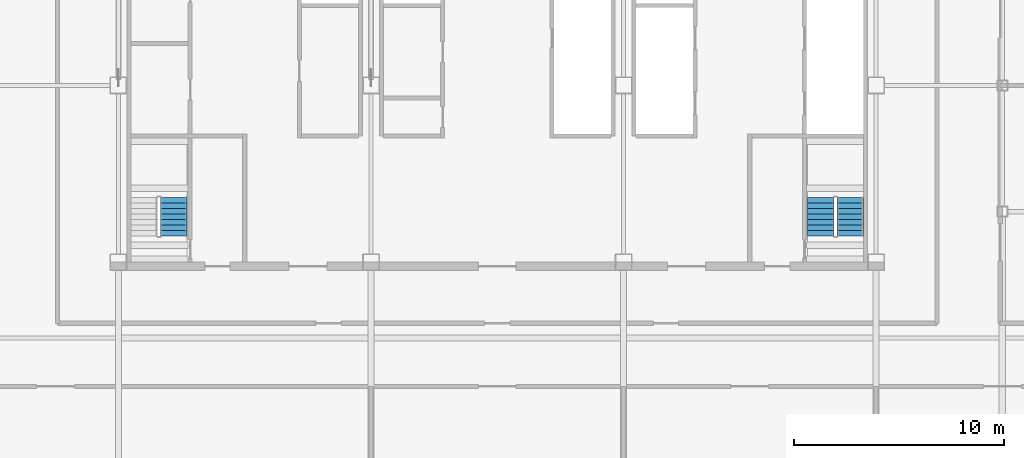
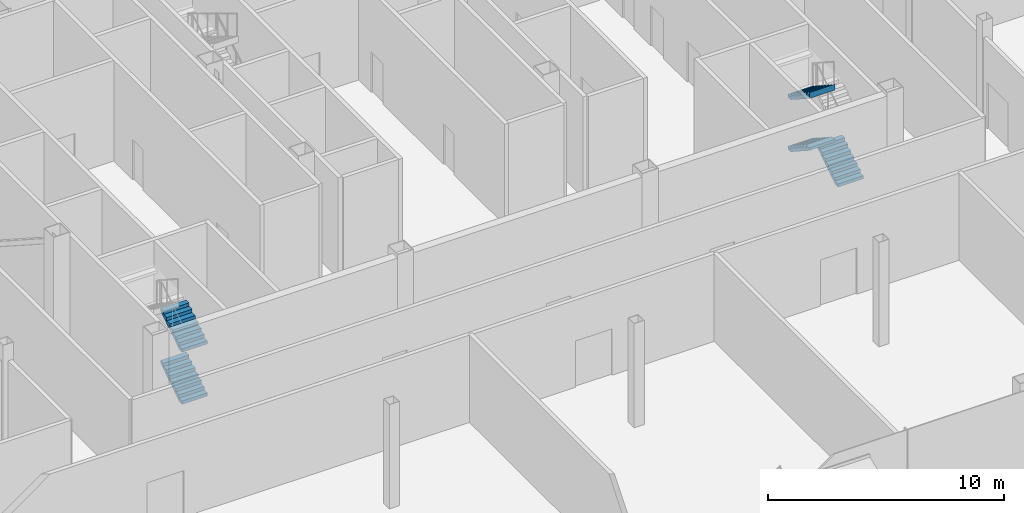
# One storey, part 22 of 26: 5 stair flights, 2 elements without a shape of their own.
"""IFC4 building model written with IfcOpenShell, lengths in metres."""

import ifcopenshell
import ifcopenshell.guid

model = None  # the IFC model being written
_history = None  # IfcOwnerHistory: only IFC2X3 demands one
_inside = {}  # id of a spatial element -> (the spatial element, [elements in it])
_under = {}  # id of a project, library or spatial element -> (it, [spatial elements below it])
_declared = {}  # id of a project -> (the project, [libraries it declares])
_typed = {}  # id of a type object -> (the type object, [elements of that type])
_made_of = {}  # id of a material, layer set ... -> (it, [elements and type objects made of it])


def new_model(schema):
    """Start an empty IFC model of exactly this schema.

    Asked for "IFC4X3", IfcOpenShell would pick the latest addendum, in which some entities
    have other attributes; the version numbers below select the first issue.
    IFC2X3 requires an IfcOwnerHistory on every rooted entity: one is made here for all.
    """
    global model, _history
    if schema == "IFC4X3":
        model = ifcopenshell.file(schema_version=(4, 3, 0, 0))
    else:
        model = ifcopenshell.file(schema=schema)
    _inside.clear()
    _under.clear()
    _declared.clear()
    _typed.clear()
    _made_of.clear()
    _history = None
    if model.schema == "IFC2X3":
        org = make("IfcOrganization", Name="unknown")
        user = make(
            "IfcPersonAndOrganization",
            ThePerson=make("IfcPerson", FamilyName="unknown"),
            TheOrganization=org,
        )
        app = make(
            "IfcApplication",
            ApplicationDeveloper=org,
            Version="unknown",
            ApplicationFullName="unknown",
            ApplicationIdentifier="unknown",
        )
        _history = make(
            "IfcOwnerHistory",
            OwningUser=user,
            OwningApplication=app,
            ChangeAction="ADDED",
            CreationDate=0,
        )
    return model


def make(cls, **values):
    """One entity of the class cls with the attributes given. An attribute that is None is left unset."""
    return model.create_entity(
        cls, **{name: value for name, value in values.items() if value is not None}
    )


def rooted(cls, **values):
    """An entity with a GlobalId (a new one), such as an element, a storey or a relation."""
    return make(cls, GlobalId=ifcopenshell.guid.new(), OwnerHistory=_history, **values)


def si_unit(unit_type, name, prefix=None):
    """IfcSIUnit, for example si_unit("LENGTHUNIT", "METRE", prefix="MILLI")."""
    return make("IfcSIUnit", UnitType=unit_type, Prefix=prefix, Name=name)


def assignment(units):
    """IfcUnitAssignment: the units of a project."""
    return None if units is None else make("IfcUnitAssignment", Units=units)


def point(xyz):
    """IfcCartesianPoint."""
    return None if xyz is None else make("IfcCartesianPoint", Coordinates=xyz)


def direction(xyz):
    """IfcDirection."""
    return None if xyz is None else make("IfcDirection", DirectionRatios=xyz)


def frame(location, z_axis=None, x_axis=None):
    """IfcAxis2Placement3D, a coordinate frame: its origin and axes. An axis left out is left unset."""
    return make(
        "IfcAxis2Placement3D",
        Location=point(location),
        Axis=direction(z_axis),
        RefDirection=direction(x_axis),
    )


def origin():
    """The frame at (0, 0, 0) with its axes left unset."""
    return frame((0.0, 0.0, 0.0))


def place(relative_to, where):
    """IfcLocalPlacement: puts the frame where relative to a parent placement (None: the world)."""
    return make(
        "IfcLocalPlacement", PlacementRelTo=relative_to, RelativePlacement=where
    )


def context(
    kind, dimensions, precision=None, world=None, true_north=None, identifier=None
):
    """IfcGeometricRepresentationContext, for example the 3D "Model" context."""
    return make(
        "IfcGeometricRepresentationContext",
        ContextIdentifier=identifier,
        ContextType=kind,
        CoordinateSpaceDimension=dimensions,
        Precision=precision,
        WorldCoordinateSystem=world,
        TrueNorth=true_north,
    )


def subcontext(parent, identifier, kind, view, scale=None):
    """IfcGeometricRepresentationSubContext, for example "Body" below "Model"."""
    return make(
        "IfcGeometricRepresentationSubContext",
        ContextIdentifier=identifier,
        ContextType=kind,
        ParentContext=parent,
        TargetScale=scale,
        TargetView=view,
    )


def project(units=None, contexts=None):
    """IfcProject with its units and contexts."""
    return rooted(
        "IfcProject",
        Name="project",
        RepresentationContexts=contexts,
        UnitsInContext=assignment(units),
    )


def spatial(cls, under=None, at=None, **own):
    """A site, building, storey or space (cls), placed at a placement, below another one or the project."""
    s = rooted(cls, ObjectPlacement=at, **own)
    if under is not None:
        _under.setdefault(under.id(), (under, []))[1].append(s)
    return s


def polyline(points):
    """IfcPolyline through the points."""
    return make("IfcPolyline", Points=[point(p) for p in points])


def outline(outer, holes=None, kind="AREA"):
    """IfcArbitraryClosedProfileDef: a profile drawn as a closed curve; with holes, ...WithVoids."""
    if holes is None:
        return make("IfcArbitraryClosedProfileDef", ProfileType=kind, OuterCurve=outer)
    return make(
        "IfcArbitraryProfileDefWithVoids",
        ProfileType=kind,
        OuterCurve=outer,
        InnerCurves=holes,
    )


def extrude(swept, where, along, depth):
    """IfcExtrudedAreaSolid: the profile swept, set in the frame where, extruded along a direction by depth."""
    return make(
        "IfcExtrudedAreaSolid",
        SweptArea=swept,
        Position=where,
        ExtrudedDirection=direction(along),
        Depth=depth,
    )


def shape(context_of_items, identifier, shape_type, items):
    """IfcShapeRepresentation: the items that make up one representation, for example the "Body"."""
    return make(
        "IfcShapeRepresentation",
        ContextOfItems=context_of_items,
        RepresentationIdentifier=identifier,
        RepresentationType=shape_type,
        Items=items,
    )


def material(Name=None, Category=None):
    """IfcMaterial."""
    return make("IfcMaterial", Name=Name, Category=Category)


def made_of(thing, what):
    """Note that an element or type object is made of a material, layer set ...; save() writes the relation."""
    if what is not None:
        _made_of.setdefault(what.id(), (what, []))[1].append(thing)
    return thing


def type_object(cls, material=None, **own):
    """A type object (cls), such as IfcWallType, which elements share."""
    return made_of(rooted(cls, **own), material)


def element(
    cls,
    number,
    at=None,
    inside=None,
    cuts=None,
    type_object=None,
    material=None,
    context=None,
    identifier="Body",
    shape_type=None,
    held_by="IfcProductDefinitionShape",
    body=None,
    shapes=None,
    **own,
):
    """One element of the class cls, such as IfcWall. Its Tag is "e" and its number.

    at: its placement. inside: the storey or other place that contains it. cuts: it is an
    opening in that element (IfcRelVoidsElement). A single representation is given by context,
    identifier, shape_type and body (its items); several are given by shapes. held_by: the class
    of the entity that holds the representations. save() writes the other relations.
    """
    e = rooted(cls, Tag="e%d" % number, ObjectPlacement=at, **own)
    if body is not None:
        shapes = [shape(context, identifier, shape_type, body)]
    if shapes is not None:
        e.Representation = make(held_by, Representations=shapes)
    if inside is not None:
        _inside.setdefault(inside.id(), (inside, []))[1].append(e)
    if cuts is not None:
        rooted(
            "IfcRelVoidsElement", RelatingBuildingElement=cuts, RelatedOpeningElement=e
        )
    if type_object is not None:
        _typed.setdefault(type_object.id(), (type_object, []))[1].append(e)
    return made_of(e, material)


def aggregate(whole, parts):
    """IfcRelAggregates: a whole, such as a stair, and the parts it consists of."""
    return rooted("IfcRelAggregates", RelatingObject=whole, RelatedObjects=parts)


def save(model, path):
    """Write the relations noted so far, then the file.

    IfcRelAggregates (storeys below a building ...), IfcRelContainedInSpatialStructure (elements
    in a storey), IfcRelDefinesByType, IfcRelAssociatesMaterial and IfcRelDeclares: one each for
    every whole, place, type object, material and project.
    """
    for whole, parts in _under.values():
        aggregate(whole, parts)
    for where, things in _inside.values():
        rooted(
            "IfcRelContainedInSpatialStructure",
            RelatedElements=things,
            RelatingStructure=where,
        )
    for kind, things in _typed.values():
        rooted("IfcRelDefinesByType", RelatedObjects=things, RelatingType=kind)
    for what, things in _made_of.values():
        rooted("IfcRelAssociatesMaterial", RelatedObjects=things, RelatingMaterial=what)
    for by, libraries in _declared.values():
        rooted("IfcRelDeclares", RelatingContext=by, RelatedDefinitions=libraries)
    model.write(path)


model = new_model("IFC4")

# Units and contexts
model_context = context("Model", 3, precision=1e-05, world=origin(), true_north=direction((0.0, 1.0)))
body_context = subcontext(model_context, "Body", "Model", "MODEL_VIEW")
ifc_project = project(units=[si_unit("LENGTHUNIT", "METRE"), si_unit("AREAUNIT", "SQUARE_METRE"), si_unit("VOLUMEUNIT", "CUBIC_METRE"), si_unit("PLANEANGLEUNIT", "RADIAN"), si_unit("MASSUNIT", "GRAM", prefix="KILO")], contexts=[model_context])

# Site, building, storey
site_placement = place(None, origin())
site = spatial("IfcSite", under=ifc_project, at=site_placement, CompositionType="ELEMENT")
building_placement = place(site_placement, origin())
building = spatial("IfcBuilding", under=site, at=building_placement, Name="Sorahane Residences", CompositionType="ELEMENT")
storey_placement = place(building_placement, frame((0.0, 0.0, 257.60009765625)))
storey = spatial("IfcBuildingStorey", under=building, at=storey_placement, Name="L61", CompositionType="ELEMENT", Elevation=257.60009765625)

# Stair, stair flights
ifc_material_1 = material(Name="Concrete C40", Category="concrete")
stair_type = type_object("IfcStairType", Name="Dog-leg stair 1250 Concrete C40", PredefinedType="HALF_TURN_STAIR", material=ifc_material_1)
stair_1_placement = place(storey_placement, origin())
stair_1 = element("IfcStair", 1, at=stair_1_placement, inside=storey, type_object=stair_type, Name="L61 Stair S4", PredefinedType="HALF_TURN_STAIR")
ifc_material_2 = material(Name="Concrete C40", Category="concrete")
stair_flight_type = type_object("IfcStairFlightType", Name="Stair flight 1250 Concrete C40", PredefinedType="STRAIGHT", material=ifc_material_2)
stair_flight_1_placement = place(storey_placement, frame((8.625, 22.85009765625, 0.0), z_axis=(0.0, 0.0, 1.0), x_axis=(0.0, 1.0, 0.0)))
stair_flight_1 = element("IfcStairFlight", 2, at=stair_flight_1_placement, type_object=stair_flight_type, Name="S4 flight 1", NumberOfRisers=8, NumberOfTreads=7, PredefinedType="STRAIGHT", RiserHeight=0.16875, TreadLength=0.26, context=body_context, shape_type="SweptSolid", body=[
    extrude(outline(polyline([(-0.00146484375, 0.0), (-0.00146484375, 0.002197265625), (-0.00146484375, 0.004150390625), (-0.00146484375, 0.00634765625), (-0.00146484375, 0.00830078125), (-0.00146484375, 0.010498046875), (-0.00146484375, 0.012451171875), (-0.00146484375, 0.0146484375), (-0.00146484375, 0.0166015625), (-0.00146484375, 0.018798828125), (-0.00146484375, 0.020751953125), (-0.00146484375, 0.02294921875), (-0.00146484375, 0.02490234375), (-0.00146484375, 0.027099609375), (-0.00146484375, 0.029052734375), (-0.00146484375, 0.03125), (-0.00146484375, 0.033447265625), (-0.00146484375, 0.035400390625), (-0.00146484375, 0.03759765625), (-0.00146484375, 0.03955078125), (-0.00146484375, 0.041748046875), (-0.00146484375, 0.043701171875), (-0.00146484375, 0.0458984375), (-0.00146484375, 0.0478515625), (-0.00146484375, 0.050048828125), (-0.00146484375, 0.052001953125), (-0.00146484375, 0.05419921875), (-0.00146484375, 0.05615234375), (-0.00146484375, 0.058349609375), (-0.00146484375, 0.060302734375), (-0.00146484375, 0.0625), (-0.00146484375, 0.064697265625), (-0.00146484375, 0.066650390625), (-0.00146484375, 0.06884765625), (-0.00146484375, 0.07080078125), (-0.00146484375, 0.072998046875), (-0.00146484375, 0.074951171875), (-0.00146484375, 0.0771484375), (-0.00146484375, 0.0791015625), (-0.00146484375, 0.081298828125), (-0.00146484375, 0.083251953125), (-0.00146484375, 0.08544921875), (-0.00146484375, 0.08740234375), (-0.00146484375, 0.089599609375), (-0.00146484375, 0.091552734375), (-0.00146484375, 0.09375), (-0.00146484375, 0.095947265625), (-0.00146484375, 0.097900390625), (-0.00146484375, 0.10009765625), (-0.00146484375, 0.10205078125), (-0.00146484375, 0.104248046875), (-0.00146484375, 0.106201171875), (-0.00146484375, 0.1083984375), (-0.00146484375, 0.1103515625), (-0.00146484375, 0.112548828125), (-0.00146484375, 0.114501953125), (-0.00146484375, 0.11669921875), (-0.00146484375, 0.11865234375), (-0.00146484375, 0.120849609375), (-0.00146484375, 0.122802734375), (-0.00146484375, 0.125), (-0.00146484375, 0.127197265625), (-0.00146484375, 0.129150390625), (-0.00146484375, 0.13134765625), (-0.00146484375, 0.13330078125), (-0.00146484375, 0.135498046875), (-0.00146484375, 0.137451171875), (-0.00146484375, 0.1396484375), (-0.00146484375, 0.1416015625), (-0.00146484375, 0.143798828125), (-0.00146484375, 0.145751953125), (-0.00146484375, 0.14794921875), (-0.00146484375, 0.14990234375), (-0.00146484375, 0.152099609375), (-0.00146484375, 0.154052734375), (-0.00146484375, 0.15625), (-0.00146484375, 0.158447265625), (-0.00146484375, 0.160400390625), (-0.00146484375, 0.16259765625), (-0.00146484375, 0.16455078125), (-0.00146484375, 0.166748046875), (-0.00146484375, 0.168701171875), (0.0, 0.168701171875), (0.260009765625, 0.168701171875), (0.260009765625, 0.33740234375), (0.52001953125, 0.33740234375), (0.52001953125, 0.50634765625), (0.780029296875, 0.50634765625), (0.780029296875, 0.675048828125), (1.0400390625, 0.675048828125), (1.0400390625, 0.84375), (1.300048828125, 0.84375), (1.300048828125, 1.012451171875), (1.56005859375, 1.012451171875), (1.56005859375, 1.18115234375), (1.820068359375, 1.18115234375), (1.820068359375, 1.35009765625), (1.820068359375, 1.34619140625), (1.820068359375, 1.34228515625), (1.820068359375, 1.33837890625), (1.820068359375, 1.334716796875), (1.820068359375, 1.330810546875), (1.820068359375, 1.326904296875), (1.820068359375, 1.322998046875), (1.820068359375, 1.319091796875), (1.820068359375, 1.3154296875), (1.820068359375, 1.3115234375), (1.820068359375, 1.3076171875), (1.820068359375, 1.3037109375), (1.820068359375, 1.300048828125), (1.820068359375, 1.296142578125), (1.820068359375, 1.292236328125), (1.820068359375, 1.288330078125), (1.820068359375, 1.284423828125), (1.820068359375, 1.28076171875), (1.820068359375, 1.27685546875), (1.820068359375, 1.27294921875), (1.820068359375, 1.26904296875), (1.820068359375, 1.265380859375), (1.820068359375, 1.261474609375), (1.820068359375, 1.257568359375), (1.820068359375, 1.253662109375), (1.820068359375, 1.249755859375), (1.820068359375, 1.24609375), (1.820068359375, 1.2421875), (1.820068359375, 1.23828125), (1.820068359375, 1.234375), (1.820068359375, 1.230712890625), (1.820068359375, 1.226806640625), (1.820068359375, 1.222900390625), (1.820068359375, 1.218994140625), (1.820068359375, 1.215087890625), (1.820068359375, 1.21142578125), (1.820068359375, 1.20751953125), (1.820068359375, 1.20361328125), (1.820068359375, 1.19970703125), (1.820068359375, 1.196044921875), (1.820068359375, 1.192138671875), (1.820068359375, 1.188232421875), (1.820068359375, 1.184326171875), (1.820068359375, 1.1806640625), (1.820068359375, 1.1767578125), (1.820068359375, 1.1728515625), (1.820068359375, 1.1689453125), (1.820068359375, 1.1650390625), (1.820068359375, 1.161376953125), (1.820068359375, 1.157470703125), (1.820068359375, 1.153564453125), (1.820068359375, 1.149658203125), (1.820068359375, 1.14599609375), (1.820068359375, 1.14208984375), (1.820068359375, 1.13818359375), (1.820068359375, 1.13427734375), (1.820068359375, 1.13037109375), (1.820068359375, 1.126708984375), (1.820068359375, 1.122802734375), (1.820068359375, 1.118896484375), (1.820068359375, 1.114990234375), (1.820068359375, 1.111328125), (1.820068359375, 1.107421875), (1.820068359375, 1.103515625), (1.820068359375, 1.099609375), (1.820068359375, 1.095703125), (1.820068359375, 1.092041015625), (1.820068359375, 1.088134765625), (1.820068359375, 1.084228515625), (1.820068359375, 1.080322265625), (1.820068359375, 1.07666015625), (1.820068359375, 1.07275390625), (1.820068359375, 1.06884765625), (1.820068359375, 1.06494140625), (1.820068359375, 1.061279296875), (1.820068359375, 1.057373046875), (1.820068359375, 1.053466796875), (1.820068359375, 1.049560546875), (1.820068359375, 1.045654296875), (1.820068359375, 1.0419921875), (1.820068359375, 1.0380859375), (1.642333984375, 0.922607421875), (1.464599609375, 0.807373046875), (1.286865234375, 0.692138671875), (1.109130859375, 0.57666015625), (0.931396484375, 0.46142578125), (0.753662109375, 0.345947265625), (0.575927734375, 0.230712890625), (0.3984375, 0.115234375), (0.220703125, 0.0), (-0.00146484375, 0.0)])), frame((0.0, 0.625, 0.0), z_axis=(0.0, -1.0, 0.0), x_axis=(1.0, 0.0, 0.0)), (0.0, 0.0, 1.0), 1.25),
])
stair_flight_2_placement = place(storey_placement, frame((8.625, 22.85009765625, 2.699951171875), z_axis=(0.0, 0.0, 1.0), x_axis=(0.0, 1.0, 0.0)))
stair_flight_2 = element("IfcStairFlight", 3, at=stair_flight_2_placement, type_object=stair_flight_type, Name="S4 flight 3", NumberOfRisers=8, NumberOfTreads=7, PredefinedType="STRAIGHT", RiserHeight=0.16875, TreadLength=0.26, context=body_context, shape_type="SweptSolid", body=[
    extrude(outline(polyline([(0.0, 0.0), (0.0, 0.002197265625), (0.0, 0.004150390625), (0.0, 0.00634765625), (0.0, 0.00830078125), (0.0, 0.010498046875), (0.0, 0.012451171875), (0.0, 0.0146484375), (0.0, 0.0166015625), (0.0, 0.018798828125), (0.0, 0.020751953125), (0.0, 0.02294921875), (0.0, 0.02490234375), (0.0, 0.027099609375), (0.0, 0.029052734375), (0.0, 0.03125), (0.0, 0.033447265625), (0.0, 0.035400390625), (0.0, 0.03759765625), (0.0, 0.03955078125), (0.0, 0.041748046875), (0.0, 0.043701171875), (0.0, 0.0458984375), (0.0, 0.0478515625), (0.0, 0.050048828125), (0.0, 0.052001953125), (0.0, 0.05419921875), (0.0, 0.05615234375), (0.0, 0.058349609375), (0.0, 0.060302734375), (0.0, 0.0625), (0.0, 0.064697265625), (0.0, 0.066650390625), (0.0, 0.06884765625), (0.0, 0.07080078125), (0.0, 0.072998046875), (0.0, 0.074951171875), (0.0, 0.0771484375), (0.0, 0.0791015625), (0.0, 0.081298828125), (0.0, 0.083251953125), (0.0, 0.08544921875), (0.0, 0.08740234375), (0.0, 0.089599609375), (0.0, 0.091552734375), (0.0, 0.09375), (0.0, 0.095947265625), (0.0, 0.097900390625), (0.0, 0.10009765625), (0.0, 0.10205078125), (0.0, 0.104248046875), (0.0, 0.106201171875), (0.0, 0.1083984375), (0.0, 0.1103515625), (0.0, 0.112548828125), (0.0, 0.114501953125), (0.0, 0.11669921875), (0.0, 0.11865234375), (0.0, 0.120849609375), (0.0, 0.122802734375), (0.0, 0.125), (0.0, 0.127197265625), (0.0, 0.129150390625), (0.0, 0.13134765625), (0.0, 0.13330078125), (0.0, 0.135498046875), (0.0, 0.137451171875), (0.0, 0.1396484375), (0.0, 0.1416015625), (0.0, 0.143798828125), (0.0, 0.145751953125), (0.0, 0.14794921875), (0.0, 0.14990234375), (0.0, 0.152099609375), (0.0, 0.154052734375), (0.0, 0.15625), (0.0, 0.158447265625), (0.0, 0.160400390625), (0.0, 0.16259765625), (0.0, 0.16455078125), (0.0, 0.166748046875), (0.0, 0.168701171875), (0.260009765625, 0.168701171875), (0.260009765625, 0.33740234375), (0.52001953125, 0.33740234375), (0.52001953125, 0.50634765625), (0.780029296875, 0.50634765625), (0.780029296875, 0.675048828125), (1.0400390625, 0.675048828125), (1.0400390625, 0.84375), (1.300048828125, 0.84375), (1.300048828125, 1.012451171875), (1.56005859375, 1.012451171875), (1.56005859375, 1.18115234375), (1.820068359375, 1.18115234375), (1.820068359375, 1.35009765625), (1.820068359375, 1.34619140625), (1.820068359375, 1.34228515625), (1.820068359375, 1.33837890625), (1.820068359375, 1.334716796875), (1.820068359375, 1.330810546875), (1.820068359375, 1.326904296875), (1.820068359375, 1.322998046875), (1.820068359375, 1.319091796875), (1.820068359375, 1.3154296875), (1.820068359375, 1.3115234375), (1.820068359375, 1.3076171875), (1.820068359375, 1.3037109375), (1.820068359375, 1.300048828125), (1.820068359375, 1.296142578125), (1.820068359375, 1.292236328125), (1.820068359375, 1.288330078125), (1.820068359375, 1.284423828125), (1.820068359375, 1.28076171875), (1.820068359375, 1.27685546875), (1.820068359375, 1.27294921875), (1.820068359375, 1.26904296875), (1.820068359375, 1.265380859375), (1.820068359375, 1.261474609375), (1.820068359375, 1.257568359375), (1.820068359375, 1.253662109375), (1.820068359375, 1.249755859375), (1.820068359375, 1.24609375), (1.820068359375, 1.2421875), (1.820068359375, 1.23828125), (1.820068359375, 1.234375), (1.820068359375, 1.230712890625), (1.820068359375, 1.226806640625), (1.820068359375, 1.222900390625), (1.820068359375, 1.218994140625), (1.820068359375, 1.215087890625), (1.820068359375, 1.21142578125), (1.820068359375, 1.20751953125), (1.820068359375, 1.20361328125), (1.820068359375, 1.19970703125), (1.820068359375, 1.196044921875), (1.820068359375, 1.192138671875), (1.820068359375, 1.188232421875), (1.820068359375, 1.184326171875), (1.820068359375, 1.1806640625), (1.820068359375, 1.1767578125), (1.820068359375, 1.1728515625), (1.820068359375, 1.1689453125), (1.820068359375, 1.1650390625), (1.820068359375, 1.161376953125), (1.820068359375, 1.157470703125), (1.820068359375, 1.153564453125), (1.820068359375, 1.149658203125), (1.820068359375, 1.14599609375), (1.820068359375, 1.14208984375), (1.820068359375, 1.13818359375), (1.820068359375, 1.13427734375), (1.820068359375, 1.13037109375), (1.820068359375, 1.126708984375), (1.820068359375, 1.122802734375), (1.820068359375, 1.118896484375), (1.820068359375, 1.114990234375), (1.820068359375, 1.111328125), (1.820068359375, 1.107421875), (1.820068359375, 1.103515625), (1.820068359375, 1.099609375), (1.820068359375, 1.095703125), (1.820068359375, 1.092041015625), (1.820068359375, 1.088134765625), (1.820068359375, 1.084228515625), (1.820068359375, 1.080322265625), (1.820068359375, 1.07666015625), (1.820068359375, 1.07275390625), (1.820068359375, 1.06884765625), (1.820068359375, 1.06494140625), (1.820068359375, 1.061279296875), (1.820068359375, 1.057373046875), (1.820068359375, 1.053466796875), (1.820068359375, 1.049560546875), (1.820068359375, 1.045654296875), (1.820068359375, 1.0419921875), (1.820068359375, 1.0380859375), (1.6201171875, 0.908203125), (1.420166015625, 0.778564453125), (1.22021484375, 0.648681640625), (1.020263671875, 0.51904296875), (0.8203125, 0.38916015625), (0.620361328125, 0.259521484375), (0.420654296875, 0.129638671875), (0.220703125, 0.0), (0.0, 0.0)])), frame((0.0, 0.625, 0.0), z_axis=(0.0, -1.0, 0.0), x_axis=(1.0, 0.0, 0.0)), (0.0, 0.0, 1.0), 1.25),
])
aggregate(stair_1, [stair_flight_1, stair_flight_2])

stair_2_placement = place(storey_placement, origin())
stair_2 = element("IfcStair", 4, at=stair_2_placement, inside=storey, type_object=stair_type, Name="L61 Stair S5", PredefinedType="HALF_TURN_STAIR")
stair_flight_3_placement = place(storey_placement, frame((40.77490234375, 22.85009765625, 0.0), z_axis=(0.0, 0.0, 1.0), x_axis=(0.0, 1.0, 0.0)))
stair_flight_3 = element("IfcStairFlight", 5, at=stair_flight_3_placement, type_object=stair_flight_type, Name="S5 flight 1", NumberOfRisers=8, NumberOfTreads=7, PredefinedType="STRAIGHT", RiserHeight=0.16875, TreadLength=0.26, context=body_context, shape_type="SweptSolid", body=[
    extrude(outline(polyline([(-0.00146484375, 0.0), (-0.00146484375, 0.002197265625), (-0.00146484375, 0.004150390625), (-0.00146484375, 0.00634765625), (-0.00146484375, 0.00830078125), (-0.00146484375, 0.010498046875), (-0.00146484375, 0.012451171875), (-0.00146484375, 0.0146484375), (-0.00146484375, 0.0166015625), (-0.00146484375, 0.018798828125), (-0.00146484375, 0.020751953125), (-0.00146484375, 0.02294921875), (-0.00146484375, 0.02490234375), (-0.00146484375, 0.027099609375), (-0.00146484375, 0.029052734375), (-0.00146484375, 0.03125), (-0.00146484375, 0.033447265625), (-0.00146484375, 0.035400390625), (-0.00146484375, 0.03759765625), (-0.00146484375, 0.03955078125), (-0.00146484375, 0.041748046875), (-0.00146484375, 0.043701171875), (-0.00146484375, 0.0458984375), (-0.00146484375, 0.0478515625), (-0.00146484375, 0.050048828125), (-0.00146484375, 0.052001953125), (-0.00146484375, 0.05419921875), (-0.00146484375, 0.05615234375), (-0.00146484375, 0.058349609375), (-0.00146484375, 0.060302734375), (-0.00146484375, 0.0625), (-0.00146484375, 0.064697265625), (-0.00146484375, 0.066650390625), (-0.00146484375, 0.06884765625), (-0.00146484375, 0.07080078125), (-0.00146484375, 0.072998046875), (-0.00146484375, 0.074951171875), (-0.00146484375, 0.0771484375), (-0.00146484375, 0.0791015625), (-0.00146484375, 0.081298828125), (-0.00146484375, 0.083251953125), (-0.00146484375, 0.08544921875), (-0.00146484375, 0.08740234375), (-0.00146484375, 0.089599609375), (-0.00146484375, 0.091552734375), (-0.00146484375, 0.09375), (-0.00146484375, 0.095947265625), (-0.00146484375, 0.097900390625), (-0.00146484375, 0.10009765625), (-0.00146484375, 0.10205078125), (-0.00146484375, 0.104248046875), (-0.00146484375, 0.106201171875), (-0.00146484375, 0.1083984375), (-0.00146484375, 0.1103515625), (-0.00146484375, 0.112548828125), (-0.00146484375, 0.114501953125), (-0.00146484375, 0.11669921875), (-0.00146484375, 0.11865234375), (-0.00146484375, 0.120849609375), (-0.00146484375, 0.122802734375), (-0.00146484375, 0.125), (-0.00146484375, 0.127197265625), (-0.00146484375, 0.129150390625), (-0.00146484375, 0.13134765625), (-0.00146484375, 0.13330078125), (-0.00146484375, 0.135498046875), (-0.00146484375, 0.137451171875), (-0.00146484375, 0.1396484375), (-0.00146484375, 0.1416015625), (-0.00146484375, 0.143798828125), (-0.00146484375, 0.145751953125), (-0.00146484375, 0.14794921875), (-0.00146484375, 0.14990234375), (-0.00146484375, 0.152099609375), (-0.00146484375, 0.154052734375), (-0.00146484375, 0.15625), (-0.00146484375, 0.158447265625), (-0.00146484375, 0.160400390625), (-0.00146484375, 0.16259765625), (-0.00146484375, 0.16455078125), (-0.00146484375, 0.166748046875), (-0.00146484375, 0.168701171875), (0.0, 0.168701171875), (0.260009765625, 0.168701171875), (0.260009765625, 0.33740234375), (0.52001953125, 0.33740234375), (0.52001953125, 0.50634765625), (0.780029296875, 0.50634765625), (0.780029296875, 0.675048828125), (1.0400390625, 0.675048828125), (1.0400390625, 0.84375), (1.300048828125, 0.84375), (1.300048828125, 1.012451171875), (1.56005859375, 1.012451171875), (1.56005859375, 1.18115234375), (1.820068359375, 1.18115234375), (1.820068359375, 1.35009765625), (1.820068359375, 1.34619140625), (1.820068359375, 1.34228515625), (1.820068359375, 1.33837890625), (1.820068359375, 1.334716796875), (1.820068359375, 1.330810546875), (1.820068359375, 1.326904296875), (1.820068359375, 1.322998046875), (1.820068359375, 1.319091796875), (1.820068359375, 1.3154296875), (1.820068359375, 1.3115234375), (1.820068359375, 1.3076171875), (1.820068359375, 1.3037109375), (1.820068359375, 1.300048828125), (1.820068359375, 1.296142578125), (1.820068359375, 1.292236328125), (1.820068359375, 1.288330078125), (1.820068359375, 1.284423828125), (1.820068359375, 1.28076171875), (1.820068359375, 1.27685546875), (1.820068359375, 1.27294921875), (1.820068359375, 1.26904296875), (1.820068359375, 1.265380859375), (1.820068359375, 1.261474609375), (1.820068359375, 1.257568359375), (1.820068359375, 1.253662109375), (1.820068359375, 1.249755859375), (1.820068359375, 1.24609375), (1.820068359375, 1.2421875), (1.820068359375, 1.23828125), (1.820068359375, 1.234375), (1.820068359375, 1.230712890625), (1.820068359375, 1.226806640625), (1.820068359375, 1.222900390625), (1.820068359375, 1.218994140625), (1.820068359375, 1.215087890625), (1.820068359375, 1.21142578125), (1.820068359375, 1.20751953125), (1.820068359375, 1.20361328125), (1.820068359375, 1.19970703125), (1.820068359375, 1.196044921875), (1.820068359375, 1.192138671875), (1.820068359375, 1.188232421875), (1.820068359375, 1.184326171875), (1.820068359375, 1.1806640625), (1.820068359375, 1.1767578125), (1.820068359375, 1.1728515625), (1.820068359375, 1.1689453125), (1.820068359375, 1.1650390625), (1.820068359375, 1.161376953125), (1.820068359375, 1.157470703125), (1.820068359375, 1.153564453125), (1.820068359375, 1.149658203125), (1.820068359375, 1.14599609375), (1.820068359375, 1.14208984375), (1.820068359375, 1.13818359375), (1.820068359375, 1.13427734375), (1.820068359375, 1.13037109375), (1.820068359375, 1.126708984375), (1.820068359375, 1.122802734375), (1.820068359375, 1.118896484375), (1.820068359375, 1.114990234375), (1.820068359375, 1.111328125), (1.820068359375, 1.107421875), (1.820068359375, 1.103515625), (1.820068359375, 1.099609375), (1.820068359375, 1.095703125), (1.820068359375, 1.092041015625), (1.820068359375, 1.088134765625), (1.820068359375, 1.084228515625), (1.820068359375, 1.080322265625), (1.820068359375, 1.07666015625), (1.820068359375, 1.07275390625), (1.820068359375, 1.06884765625), (1.820068359375, 1.06494140625), (1.820068359375, 1.061279296875), (1.820068359375, 1.057373046875), (1.820068359375, 1.053466796875), (1.820068359375, 1.049560546875), (1.820068359375, 1.045654296875), (1.820068359375, 1.0419921875), (1.820068359375, 1.0380859375), (1.642333984375, 0.922607421875), (1.464599609375, 0.807373046875), (1.286865234375, 0.692138671875), (1.109130859375, 0.57666015625), (0.931396484375, 0.46142578125), (0.753662109375, 0.345947265625), (0.575927734375, 0.230712890625), (0.3984375, 0.115234375), (0.220703125, 0.0), (-0.00146484375, 0.0)])), frame((0.0, 0.625, 0.0), z_axis=(0.0, -1.0, 0.0), x_axis=(1.0, 0.0, 0.0)), (0.0, 0.0, 1.0), 1.25),
])
stair_flight_4_placement = place(storey_placement, frame((39.375, 24.669921875, 1.349853515625), z_axis=(0.0, 0.0, 1.0), x_axis=(0.0, -1.0, 0.0)))
stair_flight_4 = element("IfcStairFlight", 6, at=stair_flight_4_placement, type_object=stair_flight_type, Name="S5 flight 2", NumberOfRisers=8, NumberOfTreads=7, PredefinedType="STRAIGHT", RiserHeight=0.16875, TreadLength=0.26, context=body_context, shape_type="SweptSolid", body=[
    extrude(outline(polyline([(0.0, 0.0), (0.0, 0.002197265625), (0.0, 0.004150390625), (0.0, 0.00634765625), (0.0, 0.00830078125), (0.0, 0.010498046875), (0.0, 0.012451171875), (0.0, 0.0146484375), (0.0, 0.0166015625), (0.0, 0.018798828125), (0.0, 0.020751953125), (0.0, 0.02294921875), (0.0, 0.02490234375), (0.0, 0.027099609375), (0.0, 0.029052734375), (0.0, 0.03125), (0.0, 0.033447265625), (0.0, 0.035400390625), (0.0, 0.03759765625), (0.0, 0.03955078125), (0.0, 0.041748046875), (0.0, 0.043701171875), (0.0, 0.0458984375), (0.0, 0.0478515625), (0.0, 0.050048828125), (0.0, 0.052001953125), (0.0, 0.05419921875), (0.0, 0.05615234375), (0.0, 0.058349609375), (0.0, 0.060302734375), (0.0, 0.0625), (0.0, 0.064697265625), (0.0, 0.066650390625), (0.0, 0.06884765625), (0.0, 0.07080078125), (0.0, 0.072998046875), (0.0, 0.074951171875), (0.0, 0.0771484375), (0.0, 0.0791015625), (0.0, 0.081298828125), (0.0, 0.083251953125), (0.0, 0.08544921875), (0.0, 0.08740234375), (0.0, 0.089599609375), (0.0, 0.091552734375), (0.0, 0.09375), (0.0, 0.095947265625), (0.0, 0.097900390625), (0.0, 0.10009765625), (0.0, 0.10205078125), (0.0, 0.104248046875), (0.0, 0.106201171875), (0.0, 0.1083984375), (0.0, 0.1103515625), (0.0, 0.112548828125), (0.0, 0.114501953125), (0.0, 0.11669921875), (0.0, 0.11865234375), (0.0, 0.120849609375), (0.0, 0.122802734375), (0.0, 0.125), (0.0, 0.127197265625), (0.0, 0.129150390625), (0.0, 0.13134765625), (0.0, 0.13330078125), (0.0, 0.135498046875), (0.0, 0.137451171875), (0.0, 0.1396484375), (0.0, 0.1416015625), (0.0, 0.143798828125), (0.0, 0.145751953125), (0.0, 0.14794921875), (0.0, 0.14990234375), (0.0, 0.152099609375), (0.0, 0.154052734375), (0.0, 0.15625), (0.0, 0.158447265625), (0.0, 0.160400390625), (0.0, 0.16259765625), (0.0, 0.16455078125), (0.0, 0.166748046875), (0.0, 0.168701171875), (0.260009765625, 0.168701171875), (0.260009765625, 0.33740234375), (0.52001953125, 0.33740234375), (0.52001953125, 0.50634765625), (0.780029296875, 0.50634765625), (0.780029296875, 0.675048828125), (1.0400390625, 0.675048828125), (1.0400390625, 0.84375), (1.300048828125, 0.84375), (1.300048828125, 1.012451171875), (1.56005859375, 1.012451171875), (1.56005859375, 1.18115234375), (1.820068359375, 1.18115234375), (1.820068359375, 1.35009765625), (1.820068359375, 1.34619140625), (1.820068359375, 1.34228515625), (1.820068359375, 1.33837890625), (1.820068359375, 1.334716796875), (1.820068359375, 1.330810546875), (1.820068359375, 1.326904296875), (1.820068359375, 1.322998046875), (1.820068359375, 1.319091796875), (1.820068359375, 1.3154296875), (1.820068359375, 1.3115234375), (1.820068359375, 1.3076171875), (1.820068359375, 1.3037109375), (1.820068359375, 1.300048828125), (1.820068359375, 1.296142578125), (1.820068359375, 1.292236328125), (1.820068359375, 1.288330078125), (1.820068359375, 1.284423828125), (1.820068359375, 1.28076171875), (1.820068359375, 1.27685546875), (1.820068359375, 1.27294921875), (1.820068359375, 1.26904296875), (1.820068359375, 1.265380859375), (1.820068359375, 1.261474609375), (1.820068359375, 1.257568359375), (1.820068359375, 1.253662109375), (1.820068359375, 1.249755859375), (1.820068359375, 1.24609375), (1.820068359375, 1.2421875), (1.820068359375, 1.23828125), (1.820068359375, 1.234375), (1.820068359375, 1.230712890625), (1.820068359375, 1.226806640625), (1.820068359375, 1.222900390625), (1.820068359375, 1.218994140625), (1.820068359375, 1.215087890625), (1.820068359375, 1.21142578125), (1.820068359375, 1.20751953125), (1.820068359375, 1.20361328125), (1.820068359375, 1.19970703125), (1.820068359375, 1.196044921875), (1.820068359375, 1.192138671875), (1.820068359375, 1.188232421875), (1.820068359375, 1.184326171875), (1.820068359375, 1.1806640625), (1.820068359375, 1.1767578125), (1.820068359375, 1.1728515625), (1.820068359375, 1.1689453125), (1.820068359375, 1.1650390625), (1.820068359375, 1.161376953125), (1.820068359375, 1.157470703125), (1.820068359375, 1.153564453125), (1.820068359375, 1.149658203125), (1.820068359375, 1.14599609375), (1.820068359375, 1.14208984375), (1.820068359375, 1.13818359375), (1.820068359375, 1.13427734375), (1.820068359375, 1.13037109375), (1.820068359375, 1.126708984375), (1.820068359375, 1.122802734375), (1.820068359375, 1.118896484375), (1.820068359375, 1.114990234375), (1.820068359375, 1.111328125), (1.820068359375, 1.107421875), (1.820068359375, 1.103515625), (1.820068359375, 1.099609375), (1.820068359375, 1.095703125), (1.820068359375, 1.092041015625), (1.820068359375, 1.088134765625), (1.820068359375, 1.084228515625), (1.820068359375, 1.080322265625), (1.820068359375, 1.07666015625), (1.820068359375, 1.07275390625), (1.820068359375, 1.06884765625), (1.820068359375, 1.06494140625), (1.820068359375, 1.061279296875), (1.820068359375, 1.057373046875), (1.820068359375, 1.053466796875), (1.820068359375, 1.049560546875), (1.820068359375, 1.045654296875), (1.820068359375, 1.0419921875), (1.820068359375, 1.0380859375), (1.6201171875, 0.908203125), (1.420166015625, 0.778564453125), (1.22021484375, 0.648681640625), (1.020263671875, 0.51904296875), (0.8203125, 0.38916015625), (0.620361328125, 0.259521484375), (0.420654296875, 0.129638671875), (0.220703125, 0.0), (0.0, 0.0)])), frame((0.0, 0.625, 0.0), z_axis=(0.0, -1.0, 0.0), x_axis=(1.0, 0.0, 0.0)), (0.0, 0.0, 1.0), 1.25),
])
stair_flight_5_placement = place(storey_placement, frame((39.375, 24.669921875, 4.0498046875), z_axis=(0.0, 0.0, 1.0), x_axis=(0.0, -1.0, 0.0)))
stair_flight_5 = element("IfcStairFlight", 7, at=stair_flight_5_placement, type_object=stair_flight_type, Name="S5 flight 4", NumberOfRisers=8, NumberOfTreads=7, PredefinedType="STRAIGHT", RiserHeight=0.16875, TreadLength=0.26, context=body_context, shape_type="SweptSolid", body=[
    extrude(outline(polyline([(0.0, 0.0), (0.0, 0.002197265625), (0.0, 0.004150390625), (0.0, 0.00634765625), (0.0, 0.00830078125), (0.0, 0.010498046875), (0.0, 0.012451171875), (0.0, 0.0146484375), (0.0, 0.0166015625), (0.0, 0.018798828125), (0.0, 0.020751953125), (0.0, 0.02294921875), (0.0, 0.02490234375), (0.0, 0.027099609375), (0.0, 0.029052734375), (0.0, 0.03125), (0.0, 0.033447265625), (0.0, 0.035400390625), (0.0, 0.03759765625), (0.0, 0.03955078125), (0.0, 0.041748046875), (0.0, 0.043701171875), (0.0, 0.0458984375), (0.0, 0.0478515625), (0.0, 0.050048828125), (0.0, 0.052001953125), (0.0, 0.05419921875), (0.0, 0.05615234375), (0.0, 0.058349609375), (0.0, 0.060302734375), (0.0, 0.0625), (0.0, 0.064697265625), (0.0, 0.066650390625), (0.0, 0.06884765625), (0.0, 0.07080078125), (0.0, 0.072998046875), (0.0, 0.074951171875), (0.0, 0.0771484375), (0.0, 0.0791015625), (0.0, 0.081298828125), (0.0, 0.083251953125), (0.0, 0.08544921875), (0.0, 0.08740234375), (0.0, 0.089599609375), (0.0, 0.091552734375), (0.0, 0.09375), (0.0, 0.095947265625), (0.0, 0.097900390625), (0.0, 0.10009765625), (0.0, 0.10205078125), (0.0, 0.104248046875), (0.0, 0.106201171875), (0.0, 0.1083984375), (0.0, 0.1103515625), (0.0, 0.112548828125), (0.0, 0.114501953125), (0.0, 0.11669921875), (0.0, 0.11865234375), (0.0, 0.120849609375), (0.0, 0.122802734375), (0.0, 0.125), (0.0, 0.127197265625), (0.0, 0.129150390625), (0.0, 0.13134765625), (0.0, 0.13330078125), (0.0, 0.135498046875), (0.0, 0.137451171875), (0.0, 0.1396484375), (0.0, 0.1416015625), (0.0, 0.143798828125), (0.0, 0.145751953125), (0.0, 0.14794921875), (0.0, 0.14990234375), (0.0, 0.152099609375), (0.0, 0.154052734375), (0.0, 0.15625), (0.0, 0.158447265625), (0.0, 0.160400390625), (0.0, 0.16259765625), (0.0, 0.16455078125), (0.0, 0.166748046875), (0.0, 0.168701171875), (0.260009765625, 0.168701171875), (0.260009765625, 0.33740234375), (0.52001953125, 0.33740234375), (0.52001953125, 0.50634765625), (0.780029296875, 0.50634765625), (0.780029296875, 0.675048828125), (1.0400390625, 0.675048828125), (1.0400390625, 0.84375), (1.300048828125, 0.84375), (1.300048828125, 1.012451171875), (1.56005859375, 1.012451171875), (1.56005859375, 1.18115234375), (1.820068359375, 1.18115234375), (1.820068359375, 1.35009765625), (1.821533203125, 1.35009765625), (1.821533203125, 1.34619140625), (1.821533203125, 1.34228515625), (1.821533203125, 1.33837890625), (1.821533203125, 1.334716796875), (1.821533203125, 1.330810546875), (1.821533203125, 1.326904296875), (1.821533203125, 1.322998046875), (1.821533203125, 1.319091796875), (1.821533203125, 1.3154296875), (1.821533203125, 1.3115234375), (1.821533203125, 1.3076171875), (1.821533203125, 1.3037109375), (1.821533203125, 1.300048828125), (1.821533203125, 1.296142578125), (1.821533203125, 1.292236328125), (1.821533203125, 1.288330078125), (1.821533203125, 1.284423828125), (1.821533203125, 1.28076171875), (1.821533203125, 1.27685546875), (1.821533203125, 1.27294921875), (1.821533203125, 1.26904296875), (1.821533203125, 1.265380859375), (1.821533203125, 1.261474609375), (1.821533203125, 1.257568359375), (1.821533203125, 1.253662109375), (1.821533203125, 1.249755859375), (1.821533203125, 1.24609375), (1.821533203125, 1.2421875), (1.821533203125, 1.23828125), (1.821533203125, 1.234375), (1.821533203125, 1.230712890625), (1.821533203125, 1.226806640625), (1.821533203125, 1.222900390625), (1.821533203125, 1.218994140625), (1.821533203125, 1.215087890625), (1.821533203125, 1.21142578125), (1.821533203125, 1.20751953125), (1.821533203125, 1.20361328125), (1.821533203125, 1.19970703125), (1.821533203125, 1.196044921875), (1.821533203125, 1.192138671875), (1.821533203125, 1.188232421875), (1.821533203125, 1.184326171875), (1.821533203125, 1.1806640625), (1.821533203125, 1.1767578125), (1.821533203125, 1.1728515625), (1.821533203125, 1.1689453125), (1.821533203125, 1.1650390625), (1.821533203125, 1.161376953125), (1.821533203125, 1.157470703125), (1.821533203125, 1.153564453125), (1.821533203125, 1.149658203125), (1.821533203125, 1.14599609375), (1.821533203125, 1.14208984375), (1.821533203125, 1.13818359375), (1.821533203125, 1.13427734375), (1.821533203125, 1.13037109375), (1.821533203125, 1.126708984375), (1.821533203125, 1.122802734375), (1.821533203125, 1.118896484375), (1.821533203125, 1.114990234375), (1.821533203125, 1.111328125), (1.821533203125, 1.107421875), (1.821533203125, 1.103515625), (1.821533203125, 1.099609375), (1.821533203125, 1.095703125), (1.821533203125, 1.092041015625), (1.821533203125, 1.088134765625), (1.821533203125, 1.084228515625), (1.821533203125, 1.080322265625), (1.821533203125, 1.07666015625), (1.821533203125, 1.07275390625), (1.821533203125, 1.06884765625), (1.821533203125, 1.06494140625), (1.821533203125, 1.061279296875), (1.821533203125, 1.057373046875), (1.821533203125, 1.053466796875), (1.821533203125, 1.049560546875), (1.821533203125, 1.045654296875), (1.821533203125, 1.0419921875), (1.821533203125, 1.0380859375), (1.6435546875, 0.922607421875), (1.4658203125, 0.807373046875), (1.287841796875, 0.692138671875), (1.110107421875, 0.57666015625), (0.93212890625, 0.46142578125), (0.754150390625, 0.345947265625), (0.576416015625, 0.230712890625), (0.3984375, 0.115234375), (0.220703125, 0.0), (0.0, 0.0)])), frame((0.0, 0.625, 0.0), z_axis=(0.0, -1.0, 0.0), x_axis=(1.0, 0.0, 0.0)), (0.0, 0.0, 1.0), 1.25),
])
aggregate(stair_2, [stair_flight_3, stair_flight_4, stair_flight_5])

save(model, "model.ifc")
